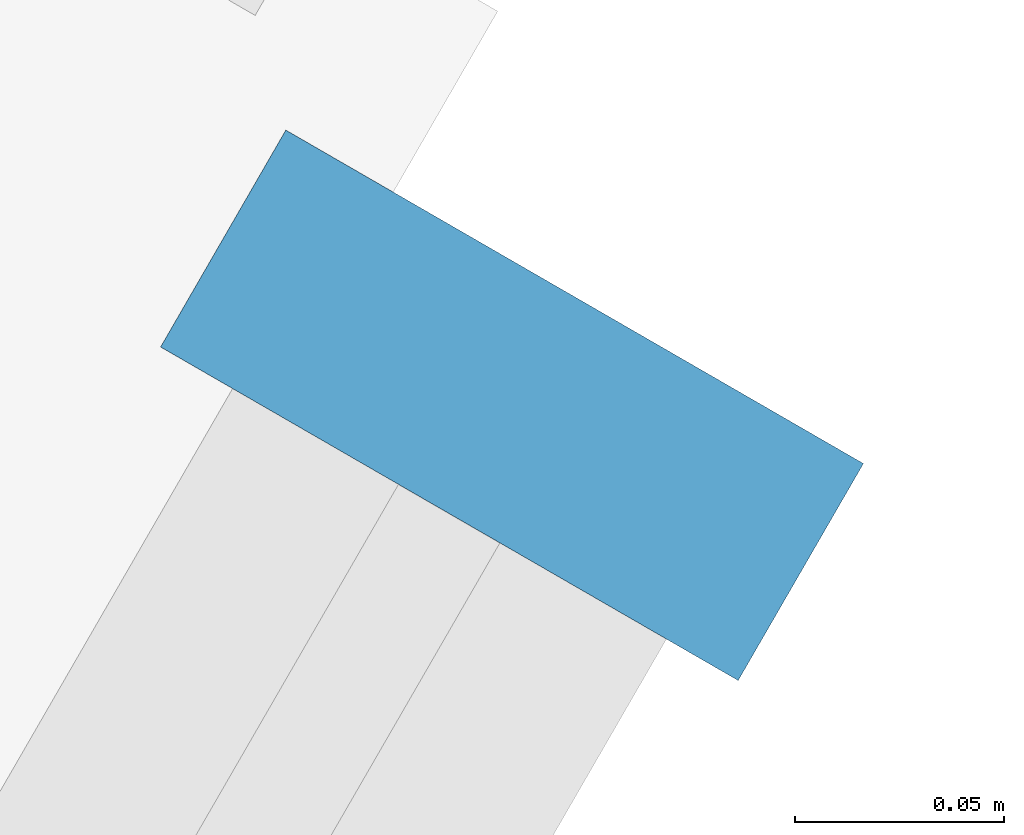
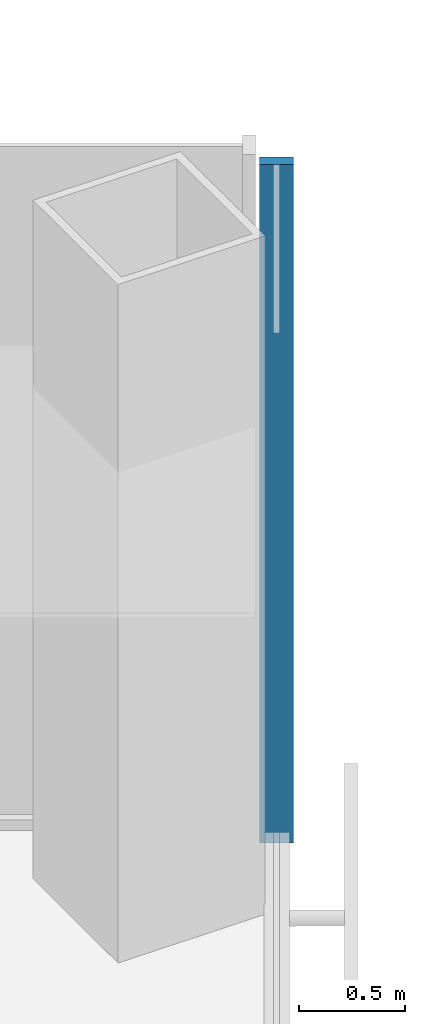
# One storey, part 9 of 18: 1 member, 1 element without a shape of its own.
"""IFC4 building model written with IfcOpenShell, lengths in metres."""

from ifc_helpers import new_model, si_unit, direction, frame, origin, origin_2d, place, context, subcontext, project, spatial, rectangle, extrude, material, material_profile, profile_set, type_object, element, aggregate, save


model = new_model("IFC4")

# Units and contexts
model_context = context("Model", 3, precision=1e-05, world=origin(), true_north=direction((0.0, 1.0)))
body_context = subcontext(model_context, "Body", "Model", "MODEL_VIEW")
ifc_project = project(units=[si_unit("LENGTHUNIT", "METRE"), si_unit("AREAUNIT", "SQUARE_METRE"), si_unit("VOLUMEUNIT", "CUBIC_METRE"), si_unit("PLANEANGLEUNIT", "RADIAN"), si_unit("MASSUNIT", "GRAM", prefix="KILO")], contexts=[model_context])

# Site, building, storey
site_placement = place(None, origin())
site = spatial("IfcSite", under=ifc_project, at=site_placement, CompositionType="ELEMENT")
building_placement = place(site_placement, origin())
building = spatial("IfcBuilding", under=site, at=building_placement, Name="Kasaneha Research Tower", CompositionType="ELEMENT")
storey_placement = place(building_placement, frame((0.0, 0.0, 80.699951171875)))
storey = spatial("IfcBuildingStorey", under=building, at=storey_placement, Name="L20", CompositionType="ELEMENT", Elevation=80.699951171875)

# Curtain wall, member
ifc_material_1 = material(Name="Glass and aluminium", Category="aluminium")
curtain_wall_type = type_object("IfcCurtainWallType", Name="Low-rise office curtain wall", PredefinedType="USERDEFINED", material=ifc_material_1)
curtain_wall_placement = place(storey_placement, origin())
curtain_wall = element("IfcCurtainWall", 1, at=curtain_wall_placement, inside=storey, type_object=curtain_wall_type, Name="CW-O1 L20 run 05a", ObjectType="UNITISED CURTAIN WALL", PredefinedType="USERDEFINED")
ifc_material_2 = material(Name="Aluminium 6063-T6", Category="aluminium")
ifc_material_profile = material_profile(ifc_material_2, rectangle(XDim=0.06005859375, YDim=0.159912109375, at=origin_2d()), Name="CW-O1 mullion 60x160")
ifc_profile_set = profile_set([ifc_material_profile], Name="Aluminium 6063-T6")
member_type = type_object("IfcMemberType", Name="CW-O1 mullion", PredefinedType="MULLION", material=ifc_profile_set)
member_placement = place(storey_placement, frame((32.012939453125, -6.39306640625, 0.0), z_axis=(0.0, 0.0, 1.0), x_axis=(0.500000011442, 0.866025397178, 0.0)))
member = element("IfcMember", 2, at=member_placement, type_object=member_type, Name="CW-O1 mullion 4", PredefinedType="MULLION", context=body_context, shape_type="SweptSolid", body=[
    extrude(rectangle(XDim=0.06005859375, YDim=0.159912109375, at=origin_2d()), origin(), (0.0, 0.0, 1.0), 3.900146484375),
])
aggregate(curtain_wall, [member])

save(model, "model.ifc")
